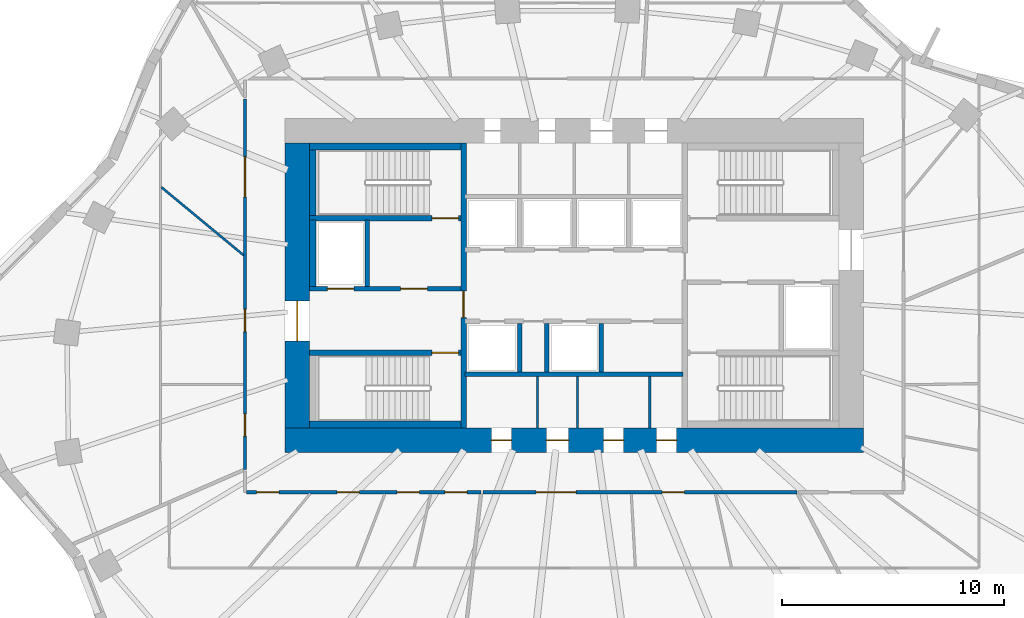
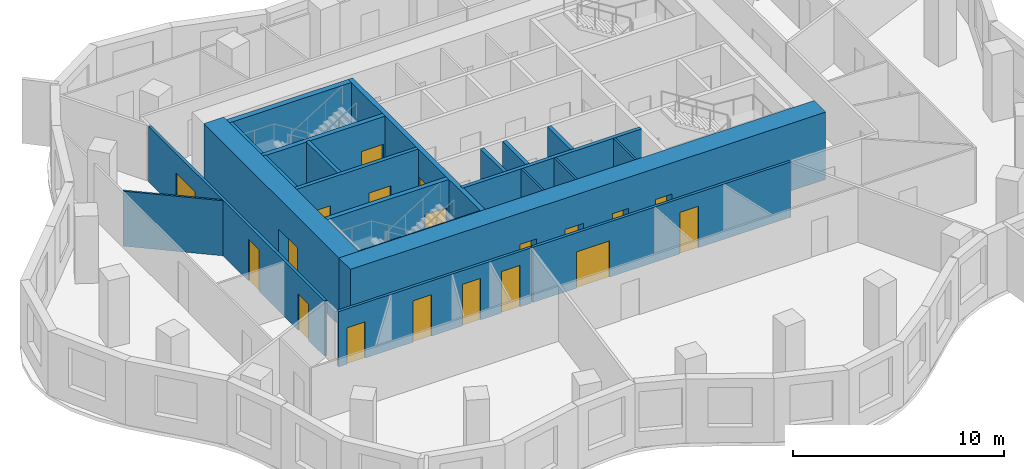
# One storey, part 4 of 9: 22 walls, 19 doors, 19 openings.
"""IFC4 building model written with IfcOpenShell, lengths in metres."""

import ifcopenshell
import ifcopenshell.guid

model = None  # the IFC model being written
_history = None  # IfcOwnerHistory: only IFC2X3 demands one
_inside = {}  # id of a spatial element -> (the spatial element, [elements in it])
_under = {}  # id of a project, library or spatial element -> (it, [spatial elements below it])
_declared = {}  # id of a project -> (the project, [libraries it declares])
_typed = {}  # id of a type object -> (the type object, [elements of that type])
_made_of = {}  # id of a material, layer set ... -> (it, [elements and type objects made of it])


def new_model(schema):
    """Start an empty IFC model of exactly this schema.

    Asked for "IFC4X3", IfcOpenShell would pick the latest addendum, in which some entities
    have other attributes; the version numbers below select the first issue.
    IFC2X3 requires an IfcOwnerHistory on every rooted entity: one is made here for all.
    """
    global model, _history
    if schema == "IFC4X3":
        model = ifcopenshell.file(schema_version=(4, 3, 0, 0))
    else:
        model = ifcopenshell.file(schema=schema)
    _inside.clear()
    _under.clear()
    _declared.clear()
    _typed.clear()
    _made_of.clear()
    _history = None
    if model.schema == "IFC2X3":
        org = make("IfcOrganization", Name="unknown")
        user = make(
            "IfcPersonAndOrganization",
            ThePerson=make("IfcPerson", FamilyName="unknown"),
            TheOrganization=org,
        )
        app = make(
            "IfcApplication",
            ApplicationDeveloper=org,
            Version="unknown",
            ApplicationFullName="unknown",
            ApplicationIdentifier="unknown",
        )
        _history = make(
            "IfcOwnerHistory",
            OwningUser=user,
            OwningApplication=app,
            ChangeAction="ADDED",
            CreationDate=0,
        )
    return model


def make(cls, **values):
    """One entity of the class cls with the attributes given. An attribute that is None is left unset."""
    return model.create_entity(
        cls, **{name: value for name, value in values.items() if value is not None}
    )


def rooted(cls, **values):
    """An entity with a GlobalId (a new one), such as an element, a storey or a relation."""
    return make(cls, GlobalId=ifcopenshell.guid.new(), OwnerHistory=_history, **values)


def si_unit(unit_type, name, prefix=None):
    """IfcSIUnit, for example si_unit("LENGTHUNIT", "METRE", prefix="MILLI")."""
    return make("IfcSIUnit", UnitType=unit_type, Prefix=prefix, Name=name)


def assignment(units):
    """IfcUnitAssignment: the units of a project."""
    return None if units is None else make("IfcUnitAssignment", Units=units)


def point(xyz):
    """IfcCartesianPoint."""
    return None if xyz is None else make("IfcCartesianPoint", Coordinates=xyz)


def direction(xyz):
    """IfcDirection."""
    return None if xyz is None else make("IfcDirection", DirectionRatios=xyz)


def frame(location, z_axis=None, x_axis=None):
    """IfcAxis2Placement3D, a coordinate frame: its origin and axes. An axis left out is left unset."""
    return make(
        "IfcAxis2Placement3D",
        Location=point(location),
        Axis=direction(z_axis),
        RefDirection=direction(x_axis),
    )


def frame_2d(location, x_axis=None):
    """IfcAxis2Placement2D, a coordinate frame in the plane: its origin and x axis."""
    return make(
        "IfcAxis2Placement2D", Location=point(location), RefDirection=direction(x_axis)
    )


def origin():
    """The frame at (0, 0, 0) with its axes left unset."""
    return frame((0.0, 0.0, 0.0))


def place(relative_to, where):
    """IfcLocalPlacement: puts the frame where relative to a parent placement (None: the world)."""
    return make(
        "IfcLocalPlacement", PlacementRelTo=relative_to, RelativePlacement=where
    )


def context(
    kind, dimensions, precision=None, world=None, true_north=None, identifier=None
):
    """IfcGeometricRepresentationContext, for example the 3D "Model" context."""
    return make(
        "IfcGeometricRepresentationContext",
        ContextIdentifier=identifier,
        ContextType=kind,
        CoordinateSpaceDimension=dimensions,
        Precision=precision,
        WorldCoordinateSystem=world,
        TrueNorth=true_north,
    )


def subcontext(parent, identifier, kind, view, scale=None):
    """IfcGeometricRepresentationSubContext, for example "Body" below "Model"."""
    return make(
        "IfcGeometricRepresentationSubContext",
        ContextIdentifier=identifier,
        ContextType=kind,
        ParentContext=parent,
        TargetScale=scale,
        TargetView=view,
    )


def project(units=None, contexts=None):
    """IfcProject with its units and contexts."""
    return rooted(
        "IfcProject",
        Name="project",
        RepresentationContexts=contexts,
        UnitsInContext=assignment(units),
    )


def spatial(cls, under=None, at=None, **own):
    """A site, building, storey or space (cls), placed at a placement, below another one or the project."""
    s = rooted(cls, ObjectPlacement=at, **own)
    if under is not None:
        _under.setdefault(under.id(), (under, []))[1].append(s)
    return s


def profile(cls, at=None, kind="AREA", **sizes):
    """A parametric profile (cls). Its sizes go by their IFC names, for example OverallWidth=200.0."""
    return make(cls, ProfileType=kind, Position=at, **sizes)


def rectangle(**sizes):
    """IfcRectangleProfileDef."""
    return profile("IfcRectangleProfileDef", **sizes)


def extrude(swept, where, along, depth):
    """IfcExtrudedAreaSolid: the profile swept, set in the frame where, extruded along a direction by depth."""
    return make(
        "IfcExtrudedAreaSolid",
        SweptArea=swept,
        Position=where,
        ExtrudedDirection=direction(along),
        Depth=depth,
    )


def shape(context_of_items, identifier, shape_type, items):
    """IfcShapeRepresentation: the items that make up one representation, for example the "Body"."""
    return make(
        "IfcShapeRepresentation",
        ContextOfItems=context_of_items,
        RepresentationIdentifier=identifier,
        RepresentationType=shape_type,
        Items=items,
    )


def material(Name=None, Category=None):
    """IfcMaterial."""
    return make("IfcMaterial", Name=Name, Category=Category)


def layer(
    of_material, thickness, ventilated=None, Name=None, Category=None, Priority=None
):
    """IfcMaterialLayer: one layer of a wall or slab, of a material (None: an air gap)."""
    return make(
        "IfcMaterialLayer",
        Material=of_material,
        LayerThickness=thickness,
        IsVentilated=ventilated,
        Name=Name,
        Category=Category,
        Priority=Priority,
    )


def layer_set(layers, Name=None):
    """IfcMaterialLayerSet."""
    return make("IfcMaterialLayerSet", MaterialLayers=layers, LayerSetName=Name)


def made_of(thing, what):
    """Note that an element or type object is made of a material, layer set ...; save() writes the relation."""
    if what is not None:
        _made_of.setdefault(what.id(), (what, []))[1].append(thing)
    return thing


def type_object(cls, material=None, **own):
    """A type object (cls), such as IfcWallType, which elements share."""
    return made_of(rooted(cls, **own), material)


def element(
    cls,
    number,
    at=None,
    inside=None,
    cuts=None,
    type_object=None,
    material=None,
    context=None,
    identifier="Body",
    shape_type=None,
    held_by="IfcProductDefinitionShape",
    body=None,
    shapes=None,
    **own,
):
    """One element of the class cls, such as IfcWall. Its Tag is "e" and its number.

    at: its placement. inside: the storey or other place that contains it. cuts: it is an
    opening in that element (IfcRelVoidsElement). A single representation is given by context,
    identifier, shape_type and body (its items); several are given by shapes. held_by: the class
    of the entity that holds the representations. save() writes the other relations.
    """
    e = rooted(cls, Tag="e%d" % number, ObjectPlacement=at, **own)
    if body is not None:
        shapes = [shape(context, identifier, shape_type, body)]
    if shapes is not None:
        e.Representation = make(held_by, Representations=shapes)
    if inside is not None:
        _inside.setdefault(inside.id(), (inside, []))[1].append(e)
    if cuts is not None:
        rooted(
            "IfcRelVoidsElement", RelatingBuildingElement=cuts, RelatedOpeningElement=e
        )
    if type_object is not None:
        _typed.setdefault(type_object.id(), (type_object, []))[1].append(e)
    return made_of(e, material)


def fill(opening, filler):
    """IfcRelFillsElement: the door or window that sits in an opening."""
    return rooted(
        "IfcRelFillsElement",
        RelatingOpeningElement=opening,
        RelatedBuildingElement=filler,
    )


def aggregate(whole, parts):
    """IfcRelAggregates: a whole, such as a stair, and the parts it consists of."""
    return rooted("IfcRelAggregates", RelatingObject=whole, RelatedObjects=parts)


def save(model, path):
    """Write the relations noted so far, then the file.

    IfcRelAggregates (storeys below a building ...), IfcRelContainedInSpatialStructure (elements
    in a storey), IfcRelDefinesByType, IfcRelAssociatesMaterial and IfcRelDeclares: one each for
    every whole, place, type object, material and project.
    """
    for whole, parts in _under.values():
        aggregate(whole, parts)
    for where, things in _inside.values():
        rooted(
            "IfcRelContainedInSpatialStructure",
            RelatedElements=things,
            RelatingStructure=where,
        )
    for kind, things in _typed.values():
        rooted("IfcRelDefinesByType", RelatedObjects=things, RelatingType=kind)
    for what, things in _made_of.values():
        rooted("IfcRelAssociatesMaterial", RelatedObjects=things, RelatingMaterial=what)
    for by, libraries in _declared.values():
        rooted("IfcRelDeclares", RelatingContext=by, RelatedDefinitions=libraries)
    model.write(path)


model = new_model("IFC4")

# Units and contexts
model_context = context("Model", 3, precision=1e-05, world=origin(), true_north=direction((0.0, 1.0)))
body_context = subcontext(model_context, "Body", "Model", "MODEL_VIEW")
ifc_project = project(units=[si_unit("LENGTHUNIT", "METRE"), si_unit("AREAUNIT", "SQUARE_METRE"), si_unit("VOLUMEUNIT", "CUBIC_METRE"), si_unit("PLANEANGLEUNIT", "RADIAN"), si_unit("MASSUNIT", "GRAM", prefix="KILO")], contexts=[model_context])

# Site, building, storey
site_placement = place(None, origin())
site = spatial("IfcSite", under=ifc_project, at=site_placement, CompositionType="ELEMENT")
building_placement = place(site_placement, origin())
building = spatial("IfcBuilding", under=site, at=building_placement, Name="Rubra Terraces Tower", CompositionType="ELEMENT")
storey_placement = place(building_placement, frame((0.0, 0.0, 138.300048828125)))
storey = spatial("IfcBuildingStorey", under=building, at=storey_placement, Name="L33", CompositionType="ELEMENT", Elevation=138.300048828125)

# Wall, openings, doors
ifc_material_1 = material(Name="Concrete C60", Category="concrete")
ifc_layer_1 = layer(ifc_material_1, 1.10009765625)
ifc_layer_set_1 = layer_set([ifc_layer_1], Name="Concrete C60")
wall_type_1 = type_object("IfcWallType", Name="CORE WALL 1100 C60", PredefinedType="SHEAR", material=ifc_layer_set_1)
wall_1_placement = place(storey_placement, frame((-13.0, -2.449951171875, 0.0), z_axis=(0.0, 0.0, 1.0), x_axis=(1.0, 0.0, 0.0)))
wall_1 = element("IfcWall", 1, at=wall_1_placement, inside=storey, type_object=wall_type_1, Name="CORE WALL S L33", PredefinedType="SHEAR", context=body_context, shape_type="SweptSolid", body=[
    extrude(rectangle(XDim=26.0, YDim=1.10009765625, at=frame_2d((13.0, 0.0))), origin(), (0.0, 0.0, 1.0), 3.89990234375),
])
opening_1_placement = place(wall_1_placement, frame((9.27490234375, 0.0, 0.0)))
opening_1 = element("IfcOpeningElement", 2, at=opening_1_placement, cuts=wall_1, Name="Opening L33.C21", PredefinedType="OPENING", context=body_context, shape_type="SweptSolid", body=[
    extrude(rectangle(XDim=0.89990234375, YDim=2.10009765625, at=frame_2d((0.449951171875, 1.050048828125))), frame((0.0, 0.56005859375, 0.0), z_axis=(0.0, -1.0, 0.0), x_axis=(1.0, 0.0, 0.0)), (0.0, 0.0, 1.0), 1.1201171875),
])
opening_2_placement = place(wall_1_placement, frame((11.75, 0.0, 0.0)))
opening_2 = element("IfcOpeningElement", 3, at=opening_2_placement, cuts=wall_1, Name="Opening L33.C22", PredefinedType="OPENING", context=body_context, shape_type="SweptSolid", body=[
    extrude(rectangle(XDim=1.0, YDim=2.10009765625, at=frame_2d((0.5, 1.050048828125))), frame((0.0, 0.56005859375, 0.0), z_axis=(0.0, -1.0, 0.0), x_axis=(1.0, 0.0, 0.0)), (0.0, 0.0, 1.0), 1.1201171875),
])
opening_3_placement = place(wall_1_placement, frame((14.324951171875, 0.0, 0.0)))
opening_3 = element("IfcOpeningElement", 4, at=opening_3_placement, cuts=wall_1, Name="Opening L33.C23", PredefinedType="OPENING", context=body_context, shape_type="SweptSolid", body=[
    extrude(rectangle(XDim=0.89990234375, YDim=2.10009765625, at=frame_2d((0.449951171875, 1.050048828125))), frame((0.0, 0.56005859375, 0.0), z_axis=(0.0, -1.0, 0.0), x_axis=(1.0, 0.0, 0.0)), (0.0, 0.0, 1.0), 1.1201171875),
])
opening_4_placement = place(wall_1_placement, frame((16.699951171875, 0.0, 0.0)))
opening_4 = element("IfcOpeningElement", 5, at=opening_4_placement, cuts=wall_1, Name="Opening L33.C24", PredefinedType="OPENING", context=body_context, shape_type="SweptSolid", body=[
    extrude(rectangle(XDim=0.89990234375, YDim=2.10009765625, at=frame_2d((0.449951171875, 1.050048828125))), frame((0.0, 0.56005859375, 0.0), z_axis=(0.0, -1.0, 0.0), x_axis=(1.0, 0.0, 0.0)), (0.0, 0.0, 1.0), 1.1201171875),
])
ifc_material_2 = material(Name="Painted steel", Category="steel")
door_type_1 = type_object("IfcDoorType", Name="Fire door 1000x2100 single", OperationType="NOTDEFINED", PredefinedType="DOOR", material=ifc_material_2)
door_1_placement = place(opening_2_placement, origin())
door_1 = element("IfcDoor", 6, at=door_1_placement, inside=storey, type_object=door_type_1, Name="Accessible WC door", OperationType="SINGLE_SWING_RIGHT", OverallHeight=2.10009765625, OverallWidth=1.0, PredefinedType="DOOR", context=body_context, shape_type="SweptSolid", body=[
    extrude(rectangle(XDim=1.0, YDim=2.10009765625, at=frame_2d((0.5, 1.050048828125))), frame((0.0, 0.02490234375, 0.0), z_axis=(0.0, -1.0, 0.0), x_axis=(1.0, 0.0, 0.0)), (0.0, 0.0, 1.0), 0.050048828125),
])
fill(opening_2, door_1)
door_type_2 = type_object("IfcDoorType", Name="Fire door 900x2100 single", OperationType="NOTDEFINED", PredefinedType="DOOR", material=ifc_material_2)
door_2_placement = place(opening_1_placement, origin())
door_2 = element("IfcDoor", 7, at=door_2_placement, inside=storey, type_object=door_type_2, Name="Gents WC door", OperationType="SINGLE_SWING_LEFT", OverallHeight=2.10009765625, OverallWidth=0.89990234375, PredefinedType="DOOR", context=body_context, shape_type="SweptSolid", body=[
    extrude(rectangle(XDim=0.89990234375, YDim=2.10009765625, at=frame_2d((0.449951171875, 1.050048828125))), frame((0.0, 0.02490234375, 0.0), z_axis=(0.0, -1.0, 0.0), x_axis=(1.0, 0.0, 0.0)), (0.0, 0.0, 1.0), 0.050048828125),
])
fill(opening_1, door_2)
door_3_placement = place(opening_3_placement, origin())
door_3 = element("IfcDoor", 8, at=door_3_placement, inside=storey, type_object=door_type_2, Name="Ladies WC door", OperationType="SINGLE_SWING_LEFT", OverallHeight=2.10009765625, OverallWidth=0.89990234375, PredefinedType="DOOR", context=body_context, shape_type="SweptSolid", body=[
    extrude(rectangle(XDim=0.89990234375, YDim=2.10009765625, at=frame_2d((0.449951171875, 1.050048828125))), frame((0.0, 0.02490234375, 0.0), z_axis=(0.0, -1.0, 0.0), x_axis=(1.0, 0.0, 0.0)), (0.0, 0.0, 1.0), 0.050048828125),
])
fill(opening_3, door_3)
door_4_placement = place(opening_4_placement, origin())
door_4 = element("IfcDoor", 9, at=door_4_placement, inside=storey, type_object=door_type_2, Name="Cleaner's store door", OperationType="SINGLE_SWING_RIGHT", OverallHeight=2.10009765625, OverallWidth=0.89990234375, PredefinedType="DOOR", context=body_context, shape_type="SweptSolid", body=[
    extrude(rectangle(XDim=0.89990234375, YDim=2.10009765625, at=frame_2d((0.449951171875, 1.050048828125))), frame((0.0, 0.02490234375, 0.0), z_axis=(0.0, -1.0, 0.0), x_axis=(1.0, 0.0, 0.0)), (0.0, 0.0, 1.0), 0.050048828125),
])
fill(opening_4, door_4)

# Wall, opening, door
wall_2_placement = place(storey_placement, frame((-12.449951171875, -1.89990234375, 0.0), z_axis=(0.0, 0.0, 1.0), x_axis=(0.0, 1.0, 0.0)))
wall_2 = element("IfcWall", 10, at=wall_2_placement, inside=storey, type_object=wall_type_1, Name="CORE WALL W L33", PredefinedType="SHEAR", context=body_context, shape_type="SweptSolid", body=[
    extrude(rectangle(XDim=12.7998046875, YDim=1.10009765625, at=frame_2d((6.39990234375, 0.0))), origin(), (0.0, 0.0, 1.0), 3.89990234375),
])
opening_5_placement = place(wall_2_placement, frame((3.89990234375, 0.0, 0.0)))
opening_5 = element("IfcOpeningElement", 11, at=opening_5_placement, cuts=wall_2, Name="Opening L33.C01", PredefinedType="OPENING", context=body_context, shape_type="SweptSolid", body=[
    extrude(rectangle(XDim=1.800048828125, YDim=2.10009765625, at=frame_2d((0.89990234375, 1.050048828125))), frame((0.0, 0.56005859375, 0.0), z_axis=(0.0, -1.0, 0.0), x_axis=(1.0, 0.0, 0.0)), (0.0, 0.0, 1.0), 1.1201171875),
])
door_type_3 = type_object("IfcDoorType", Name="Fire door 1800x2100 double", OperationType="NOTDEFINED", PredefinedType="DOOR", material=ifc_material_2)
door_5_placement = place(opening_5_placement, origin())
door_5 = element("IfcDoor", 12, at=door_5_placement, inside=storey, type_object=door_type_3, Name="Core entrance door FF1", OperationType="DOUBLE_DOOR_SINGLE_SWING", OverallHeight=2.10009765625, OverallWidth=1.800048828125, PredefinedType="DOOR", context=body_context, shape_type="SweptSolid", body=[
    extrude(rectangle(XDim=1.800048828125, YDim=2.10009765625, at=frame_2d((0.89990234375, 1.050048828125))), frame((0.0, 0.02490234375, 0.0), z_axis=(0.0, -1.0, 0.0), x_axis=(1.0, 0.0, 0.0)), (0.0, 0.0, 1.0), 0.050048828125),
])
fill(opening_5, door_5)

# Wall, openings, doors
ifc_material_3 = material(Name="Plasterboard on steel stud, mineral wool infill", Category="steel")
ifc_layer_2 = layer(ifc_material_3, 0.14990234375)
ifc_layer_set_2 = layer_set([ifc_layer_2], Name="Plasterboard on steel stud, mineral wool infill")
wall_type_2 = type_object("IfcWallType", Name="CORRIDOR PARTITION 150", PredefinedType="PARTITIONING", material=ifc_layer_set_2)
wall_3_placement = place(storey_placement, frame((-14.800048828125, 12.881591796875, 0.0), z_axis=(0.0, 0.0, 1.0), x_axis=(0.0, -1.0, 0.0)))
wall_3 = element("IfcWall", 13, at=wall_3_placement, inside=storey, type_object=wall_type_2, Name="PARTITION", PredefinedType="PARTITIONING", context=body_context, shape_type="SweptSolid", body=[
    extrude(rectangle(XDim=16.65234375, YDim=0.14990234375, at=frame_2d((8.326171875, 0.0))), origin(), (0.0, 0.0, 1.0), 3.197998046875),
])
opening_6_placement = place(wall_3_placement, frame((2.59912109375, 0.0, 0.0)))
opening_6 = element("IfcOpeningElement", 14, at=opening_6_placement, cuts=wall_3, Name="Opening 33-107", PredefinedType="OPENING", context=body_context, shape_type="SweptSolid", body=[
    extrude(rectangle(XDim=1.800048828125, YDim=2.10009765625, at=frame_2d((0.89990234375, 1.050048828125))), frame((0.0, 0.0849609375, 0.0), z_axis=(0.0, -1.0, 0.0), x_axis=(1.0, 0.0, 0.0)), (0.0, 0.0, 1.0), 0.169921875),
])
opening_7_placement = place(wall_3_placement, frame((9.4560546875, 0.0, 0.0)))
opening_7 = element("IfcOpeningElement", 15, at=opening_7_placement, cuts=wall_3, Name="Opening 33-108", PredefinedType="OPENING", context=body_context, shape_type="SweptSolid", body=[
    extrude(rectangle(XDim=1.0, YDim=2.39990234375, at=frame_2d((0.5, 1.199951171875))), frame((0.0, 0.0849609375, 0.0), z_axis=(0.0, -1.0, 0.0), x_axis=(1.0, 0.0, 0.0)), (0.0, 0.0, 1.0), 0.169921875),
])
opening_8_placement = place(wall_3_placement, frame((14.14990234375, 0.0, 0.0)))
opening_8 = element("IfcOpeningElement", 16, at=opening_8_placement, cuts=wall_3, Name="Opening 33-129", PredefinedType="OPENING", context=body_context, shape_type="SweptSolid", body=[
    extrude(rectangle(XDim=1.0, YDim=2.10009765625, at=frame_2d((0.5, 1.050048828125))), frame((0.0, 0.0849609375, 0.0), z_axis=(0.0, -1.0, 0.0), x_axis=(1.0, 0.0, 0.0)), (0.0, 0.0, 1.0), 0.169921875),
])
ifc_material_4 = material(Name="Glazed aluminium meeting door leaf", Category="aluminium")
door_type_4 = type_object("IfcDoorType", Name="MEETING ROOM GLAZED DOOR 1000 X 2400", OperationType="SINGLE_SWING_LEFT", PredefinedType="DOOR", material=ifc_material_4)
door_6_placement = place(opening_7_placement, origin())
door_6 = element("IfcDoor", 17, at=door_6_placement, inside=storey, type_object=door_type_4, Name="DOOR 33-108", OperationType="SINGLE_SWING_RIGHT", OverallHeight=2.39990234375, OverallWidth=1.0, PredefinedType="DOOR", context=body_context, shape_type="SweptSolid", body=[
    extrude(rectangle(XDim=1.0, YDim=2.39990234375, at=frame_2d((0.5, 1.199951171875))), frame((0.0, 0.02490234375, 0.0), z_axis=(0.0, -1.0, 0.0), x_axis=(1.0, 0.0, 0.0)), (0.0, 0.0, 1.0), 0.050048828125),
])
fill(opening_7, door_6)
ifc_material_5 = material(Name="Painted timber door leaf", Category="wood")
door_type_5 = type_object("IfcDoorType", Name="ROOM DOOR 1000 X 2100", OperationType="SINGLE_SWING_LEFT", PredefinedType="DOOR", material=ifc_material_5)
door_7_placement = place(opening_8_placement, origin())
door_7 = element("IfcDoor", 18, at=door_7_placement, inside=storey, type_object=door_type_5, Name="DOOR 33-129", OperationType="SINGLE_SWING_RIGHT", OverallHeight=2.10009765625, OverallWidth=1.0, PredefinedType="DOOR", context=body_context, shape_type="SweptSolid", body=[
    extrude(rectangle(XDim=1.0, YDim=2.10009765625, at=frame_2d((0.5, 1.050048828125))), frame((0.0, 0.02490234375, 0.0), z_axis=(0.0, -1.0, 0.0), x_axis=(1.0, 0.0, 0.0)), (0.0, 0.0, 1.0), 0.050048828125),
])
fill(opening_8, door_7)
ifc_material_6 = material(Name="Painted timber door leaf, double", Category="wood")
door_type_6 = type_object("IfcDoorType", Name="ROOM DOUBLE DOOR 1800 X 2100", OperationType="DOUBLE_DOOR_SINGLE_SWING", PredefinedType="DOOR", material=ifc_material_6)
door_8_placement = place(opening_6_placement, origin())
door_8 = element("IfcDoor", 19, at=door_8_placement, inside=storey, type_object=door_type_6, Name="DOOR 33-107", OperationType="DOUBLE_DOOR_SINGLE_SWING", OverallHeight=2.10009765625, OverallWidth=1.800048828125, PredefinedType="DOOR", context=body_context, shape_type="SweptSolid", body=[
    extrude(rectangle(XDim=1.800048828125, YDim=2.10009765625, at=frame_2d((0.89990234375, 1.050048828125))), frame((0.0, 0.02490234375, 0.0), z_axis=(0.0, -1.0, 0.0), x_axis=(1.0, 0.0, 0.0)), (0.0, 0.0, 1.0), 0.050048828125),
])
fill(opening_6, door_8)

wall_4_placement = place(storey_placement, frame((-14.72509765625, -4.800048828125, 0.0), z_axis=(0.0, 0.0, 1.0), x_axis=(1.0, 0.0, 0.0)))
wall_4 = element("IfcWall", 20, at=wall_4_placement, inside=storey, type_object=wall_type_2, Name="PARTITION", PredefinedType="PARTITIONING", context=body_context, shape_type="SweptSolid", body=[
    extrude(rectangle(XDim=10.544189453125, YDim=0.14990234375, at=frame_2d((5.27197265625, 0.0))), origin(), (0.0, 0.0, 1.0), 3.197998046875),
])
opening_9_placement = place(wall_4_placement, frame((0.449951171875, 0.0, 0.0)))
opening_9 = element("IfcOpeningElement", 21, at=opening_9_placement, cuts=wall_4, Name="Opening 33-110", PredefinedType="OPENING", context=body_context, shape_type="SweptSolid", body=[
    extrude(rectangle(XDim=1.0, YDim=2.10009765625, at=frame_2d((0.5, 1.050048828125))), frame((0.0, 0.0849609375, 0.0), z_axis=(0.0, -1.0, 0.0), x_axis=(1.0, 0.0, 0.0)), (0.0, 0.0, 1.0), 0.169921875),
])
opening_10_placement = place(wall_4_placement, frame((4.072998046875, 0.0, 0.0)))
opening_10 = element("IfcOpeningElement", 22, at=opening_10_placement, cuts=wall_4, Name="Opening 33-112", PredefinedType="OPENING", context=body_context, shape_type="SweptSolid", body=[
    extrude(rectangle(XDim=1.0, YDim=2.39990234375, at=frame_2d((0.5, 1.199951171875))), frame((0.0, 0.0849609375, 0.0), z_axis=(0.0, -1.0, 0.0), x_axis=(1.0, 0.0, 0.0)), (0.0, 0.0, 1.0), 0.169921875),
])
opening_11_placement = place(wall_4_placement, frame((6.763916015625, 0.0, 0.0)))
opening_11 = element("IfcOpeningElement", 23, at=opening_11_placement, cuts=wall_4, Name="Opening 33-113", PredefinedType="OPENING", context=body_context, shape_type="SweptSolid", body=[
    extrude(rectangle(XDim=1.0, YDim=2.39990234375, at=frame_2d((0.5, 1.199951171875))), frame((0.0, 0.0849609375, 0.0), z_axis=(0.0, -1.0, 0.0), x_axis=(1.0, 0.0, 0.0)), (0.0, 0.0, 1.0), 0.169921875),
])
opening_12_placement = place(wall_4_placement, frame((8.916015625, 0.0, 0.0)))
opening_12 = element("IfcOpeningElement", 24, at=opening_12_placement, cuts=wall_4, Name="Opening 33-114", PredefinedType="OPENING", context=body_context, shape_type="SweptSolid", body=[
    extrude(rectangle(XDim=1.0, YDim=2.39990234375, at=frame_2d((0.5, 1.199951171875))), frame((0.0, 0.0849609375, 0.0), z_axis=(0.0, -1.0, 0.0), x_axis=(1.0, 0.0, 0.0)), (0.0, 0.0, 1.0), 0.169921875),
])
door_9_placement = place(opening_10_placement, origin())
door_9 = element("IfcDoor", 25, at=door_9_placement, inside=storey, type_object=door_type_4, Name="DOOR 33-112", OperationType="SINGLE_SWING_RIGHT", OverallHeight=2.39990234375, OverallWidth=1.0, PredefinedType="DOOR", context=body_context, shape_type="SweptSolid", body=[
    extrude(rectangle(XDim=1.0, YDim=2.39990234375, at=frame_2d((0.5, 1.199951171875))), frame((0.0, 0.02490234375, 0.0), z_axis=(0.0, -1.0, 0.0), x_axis=(1.0, 0.0, 0.0)), (0.0, 0.0, 1.0), 0.050048828125),
])
fill(opening_10, door_9)
door_10_placement = place(opening_11_placement, origin())
door_10 = element("IfcDoor", 26, at=door_10_placement, inside=storey, type_object=door_type_4, Name="DOOR 33-113", OperationType="SINGLE_SWING_RIGHT", OverallHeight=2.39990234375, OverallWidth=1.0, PredefinedType="DOOR", context=body_context, shape_type="SweptSolid", body=[
    extrude(rectangle(XDim=1.0, YDim=2.39990234375, at=frame_2d((0.5, 1.199951171875))), frame((0.0, 0.02490234375, 0.0), z_axis=(0.0, -1.0, 0.0), x_axis=(1.0, 0.0, 0.0)), (0.0, 0.0, 1.0), 0.050048828125),
])
fill(opening_11, door_10)
door_11_placement = place(opening_12_placement, origin())
door_11 = element("IfcDoor", 27, at=door_11_placement, inside=storey, type_object=door_type_4, Name="DOOR 33-114", OperationType="SINGLE_SWING_RIGHT", OverallHeight=2.39990234375, OverallWidth=1.0, PredefinedType="DOOR", context=body_context, shape_type="SweptSolid", body=[
    extrude(rectangle(XDim=1.0, YDim=2.39990234375, at=frame_2d((0.5, 1.199951171875))), frame((0.0, 0.02490234375, 0.0), z_axis=(0.0, -1.0, 0.0), x_axis=(1.0, 0.0, 0.0)), (0.0, 0.0, 1.0), 0.050048828125),
])
fill(opening_12, door_11)
door_12_placement = place(opening_9_placement, origin())
door_12 = element("IfcDoor", 28, at=door_12_placement, inside=storey, type_object=door_type_5, Name="DOOR 33-110", OperationType="SINGLE_SWING_RIGHT", OverallHeight=2.10009765625, OverallWidth=1.0, PredefinedType="DOOR", context=body_context, shape_type="SweptSolid", body=[
    extrude(rectangle(XDim=1.0, YDim=2.10009765625, at=frame_2d((0.5, 1.050048828125))), frame((0.0, 0.02490234375, 0.0), z_axis=(0.0, -1.0, 0.0), x_axis=(1.0, 0.0, 0.0)), (0.0, 0.0, 1.0), 0.050048828125),
])
fill(opening_9, door_12)

wall_5_placement = place(storey_placement, frame((-4.105712890625, -4.800048828125, 0.0), z_axis=(0.0, 0.0, 1.0), x_axis=(1.0, 0.0, 0.0)))
wall_5 = element("IfcWall", 29, at=wall_5_placement, inside=storey, type_object=wall_type_2, Name="PARTITION", PredefinedType="PARTITIONING", context=body_context, shape_type="SweptSolid", body=[
    extrude(rectangle(XDim=14.116943359375, YDim=0.14990234375, at=frame_2d((7.05859375, 0.0))), origin(), (0.0, 0.0, 1.0), 3.197998046875),
])
opening_13_placement = place(wall_5_placement, frame((2.39599609375, 0.0, 0.0)))
opening_13 = element("IfcOpeningElement", 30, at=opening_13_placement, cuts=wall_5, Name="Opening 33-115", PredefinedType="OPENING", context=body_context, shape_type="SweptSolid", body=[
    extrude(rectangle(XDim=1.800048828125, YDim=2.10009765625, at=frame_2d((0.89990234375, 1.050048828125))), frame((0.0, 0.0849609375, 0.0), z_axis=(0.0, -1.0, 0.0), x_axis=(1.0, 0.0, 0.0)), (0.0, 0.0, 1.0), 0.169921875),
])
opening_14_placement = place(wall_5_placement, frame((8.052978515625, 0.0, 0.0)))
opening_14 = element("IfcOpeningElement", 31, at=opening_14_placement, cuts=wall_5, Name="Opening 33-117", PredefinedType="OPENING", context=body_context, shape_type="SweptSolid", body=[
    extrude(rectangle(XDim=1.0, YDim=2.39990234375, at=frame_2d((0.5, 1.199951171875))), frame((0.0, 0.0849609375, 0.0), z_axis=(0.0, -1.0, 0.0), x_axis=(1.0, 0.0, 0.0)), (0.0, 0.0, 1.0), 0.169921875),
])
door_13_placement = place(opening_14_placement, origin())
door_13 = element("IfcDoor", 32, at=door_13_placement, inside=storey, type_object=door_type_4, Name="DOOR 33-117", OperationType="SINGLE_SWING_RIGHT", OverallHeight=2.39990234375, OverallWidth=1.0, PredefinedType="DOOR", context=body_context, shape_type="SweptSolid", body=[
    extrude(rectangle(XDim=1.0, YDim=2.39990234375, at=frame_2d((0.5, 1.199951171875))), frame((0.0, 0.02490234375, 0.0), z_axis=(0.0, -1.0, 0.0), x_axis=(1.0, 0.0, 0.0)), (0.0, 0.0, 1.0), 0.050048828125),
])
fill(opening_14, door_13)
door_14_placement = place(opening_13_placement, origin())
door_14 = element("IfcDoor", 33, at=door_14_placement, inside=storey, type_object=door_type_6, Name="DOOR 33-115", OperationType="DOUBLE_DOOR_SINGLE_SWING", OverallHeight=2.10009765625, OverallWidth=1.800048828125, PredefinedType="DOOR", context=body_context, shape_type="SweptSolid", body=[
    extrude(rectangle(XDim=1.800048828125, YDim=2.10009765625, at=frame_2d((0.89990234375, 1.050048828125))), frame((0.0, 0.02490234375, 0.0), z_axis=(0.0, -1.0, 0.0), x_axis=(1.0, 0.0, 0.0)), (0.0, 0.0, 1.0), 0.050048828125),
])
fill(opening_13, door_14)

# Walls
ifc_material_7 = material(Name="Concrete C40", Category="concrete")
ifc_layer_3 = layer(ifc_material_7, 0.300048828125)
ifc_layer_set_3 = layer_set([ifc_layer_3], Name="Concrete C40")
wall_type_3 = type_object("IfcWallType", Name="Core lining wall 300 concrete", PredefinedType="SOLIDWALL", material=ifc_layer_set_3)
wall_6_placement = place(storey_placement, frame((-11.89990234375, -1.75, 0.0), z_axis=(0.0, 0.0, 1.0), x_axis=(1.0, 0.0, 0.0)))
element("IfcWall", 34, at=wall_6_placement, inside=storey, type_object=wall_type_3, Name="CORE LINING WALL L33", PredefinedType="SOLIDWALL", context=body_context, shape_type="SweptSolid", body=[
    extrude(rectangle(XDim=6.7998046875, YDim=0.300048828125, at=frame_2d((3.39990234375, 0.0))), origin(), (0.0, 0.0, 1.0), 3.699951171875),
])
wall_7_placement = place(storey_placement, frame((-11.75, 4.449951171875, 0.0), z_axis=(0.0, 0.0, 1.0), x_axis=(0.0, 1.0, 0.0)))
element("IfcWall", 35, at=wall_7_placement, inside=storey, type_object=wall_type_3, Name="CORE LINING WALL L33", PredefinedType="SOLIDWALL", context=body_context, shape_type="SweptSolid", body=[
    extrude(rectangle(XDim=3.0, YDim=0.300048828125, at=frame_2d((1.5, 0.0))), origin(), (0.0, 0.0, 1.0), 3.699951171875),
])
wall_8_placement = place(storey_placement, frame((-11.75, 7.64990234375, 0.0), z_axis=(0.0, 0.0, 1.0), x_axis=(0.0, 1.0, 0.0)))
element("IfcWall", 36, at=wall_8_placement, inside=storey, type_object=wall_type_3, Name="CORE LINING WALL L33", PredefinedType="SOLIDWALL", context=body_context, shape_type="SweptSolid", body=[
    extrude(rectangle(XDim=2.9501953125, YDim=0.300048828125, at=frame_2d((1.47509765625, 0.0))), origin(), (0.0, 0.0, 1.0), 3.699951171875),
])
wall_9_placement = place(storey_placement, frame((-11.89990234375, 10.75, 0.0), z_axis=(0.0, 0.0, 1.0), x_axis=(1.0, 0.0, 0.0)))
element("IfcWall", 37, at=wall_9_placement, inside=storey, type_object=wall_type_3, Name="CORE LINING WALL L33", PredefinedType="SOLIDWALL", context=body_context, shape_type="SweptSolid", body=[
    extrude(rectangle(XDim=6.7998046875, YDim=0.300048828125, at=frame_2d((3.39990234375, 0.0))), origin(), (0.0, 0.0, 1.0), 3.699951171875),
])

# Wall, openings, doors
ifc_material_8 = material(Name="Concrete C30", Category="concrete")
ifc_layer_4 = layer(ifc_material_8, 0.199951171875)
ifc_layer_set_4 = layer_set([ifc_layer_4], Name="Concrete C30")
wall_type_4 = type_object("IfcWallType", Name="Core wall 200 concrete", PredefinedType="SOLIDWALL", material=ifc_layer_set_4)
wall_10_placement = place(storey_placement, frame((-11.89990234375, 4.35009765625, 0.0), z_axis=(0.0, 0.0, 1.0), x_axis=(1.0, 0.0, 0.0)))
wall_10 = element("IfcWall", 38, at=wall_10_placement, inside=storey, type_object=wall_type_4, Name="STAIR WALL L33", PredefinedType="SOLIDWALL", context=body_context, shape_type="SweptSolid", body=[
    extrude(rectangle(XDim=6.7998046875, YDim=0.199951171875, at=frame_2d((3.39990234375, 0.0))), origin(), (0.0, 0.0, 1.0), 3.699951171875),
])
opening_15_placement = place(wall_10_placement, frame((4.10009765625, 0.0, 0.0)))
opening_15 = element("IfcOpeningElement", 39, at=opening_15_placement, cuts=wall_10, Name="Opening L33.C05", PredefinedType="OPENING", context=body_context, shape_type="SweptSolid", body=[
    extrude(rectangle(XDim=1.199951171875, YDim=2.10009765625, at=frame_2d((0.60009765625, 1.050048828125))), frame((0.0, 0.10986328125, 0.0), z_axis=(0.0, -1.0, 0.0), x_axis=(1.0, 0.0, 0.0)), (0.0, 0.0, 1.0), 0.219970703125),
])
opening_16_placement = place(wall_10_placement, frame((0.800048828125, 0.0, 0.0)))
opening_16 = element("IfcOpeningElement", 40, at=opening_16_placement, cuts=wall_10, Name="Opening L33.C11", PredefinedType="OPENING", context=body_context, shape_type="SweptSolid", body=[
    extrude(rectangle(XDim=1.199951171875, YDim=2.10009765625, at=frame_2d((0.60009765625, 1.050048828125))), frame((0.0, 0.10986328125, 0.0), z_axis=(0.0, -1.0, 0.0), x_axis=(1.0, 0.0, 0.0)), (0.0, 0.0, 1.0), 0.219970703125),
])
door_type_7 = type_object("IfcDoorType", Name="Fire door 1200x2100 single", OperationType="NOTDEFINED", PredefinedType="DOOR", material=ifc_material_2)
door_15_placement = place(opening_15_placement, origin())
door_15 = element("IfcDoor", 41, at=door_15_placement, inside=storey, type_object=door_type_7, Name="Stair vestibule door S2", OperationType="SINGLE_SWING_LEFT", OverallHeight=2.10009765625, OverallWidth=1.199951171875, PredefinedType="DOOR", context=body_context, shape_type="SweptSolid", body=[
    extrude(rectangle(XDim=1.199951171875, YDim=2.10009765625, at=frame_2d((0.60009765625, 1.050048828125))), frame((0.0, 0.02490234375, 0.0), z_axis=(0.0, -1.0, 0.0), x_axis=(1.0, 0.0, 0.0)), (0.0, 0.0, 1.0), 0.050048828125),
])
fill(opening_15, door_15)
ifc_material_9 = material(Name="Stainless steel", Category="steel")
door_type_8 = type_object("IfcDoorType", Name="Lift landing door 1200x2100", OperationType="NOTDEFINED", PredefinedType="DOOR", material=ifc_material_9)
door_16_placement = place(opening_16_placement, origin())
door_16 = element("IfcDoor", 42, at=door_16_placement, inside=storey, type_object=door_type_8, Name="Landing door FF1", OperationType="SLIDING_TO_RIGHT", OverallHeight=2.10009765625, OverallWidth=1.199951171875, PredefinedType="DOOR", context=body_context, shape_type="SweptSolid", body=[
    extrude(rectangle(XDim=1.199951171875, YDim=2.10009765625, at=frame_2d((0.60009765625, 1.050048828125))), frame((0.0, 0.02490234375, 0.0), z_axis=(0.0, -1.0, 0.0), x_axis=(1.0, 0.0, 0.0)), (0.0, 0.0, 1.0), 0.050048828125),
])
fill(opening_16, door_16)

# Walls
wall_11_placement = place(storey_placement, frame((-9.300048828125, 4.449951171875, 0.0), z_axis=(0.0, 0.0, 1.0), x_axis=(0.0, 1.0, 0.0)))
element("IfcWall", 43, at=wall_11_placement, inside=storey, type_object=wall_type_4, Name="STAIR WALL L33", PredefinedType="SOLIDWALL", context=body_context, shape_type="SweptSolid", body=[
    extrude(rectangle(XDim=3.0, YDim=0.199951171875, at=frame_2d((1.5, 0.0))), origin(), (0.0, 0.0, 1.0), 3.699951171875),
])
wall_12_placement = place(storey_placement, frame((-4.89990234375, 0.5, 0.0), z_axis=(0.0, 0.0, 1.0), x_axis=(1.0, 0.0, 0.0)))
element("IfcWall", 44, at=wall_12_placement, inside=storey, type_object=wall_type_4, Name="LIFT SHAFT WALL L33", PredefinedType="SOLIDWALL", context=body_context, shape_type="SweptSolid", body=[
    extrude(rectangle(XDim=9.7998046875, YDim=0.199951171875, at=frame_2d((4.89990234375, 0.0))), origin(), (0.0, 0.0, 1.0), 3.699951171875),
])
for number, where, z_axis, x_axis, name in (
    (45, (-2.449951171875, 0.60009765625, 0.0), (0.0, 0.0, 1.0), (0.0, 1.0, 0.0), "LIFT SHAFT WALL L33"),
    (46, (-1.22509765625, 0.60009765625, 0.0), (0.0, 0.0, 1.0), (0.0, 1.0, 0.0), "LIFT SHAFT WALL L33"),
    (47, (1.22509765625, 0.60009765625, 0.0), (0.0, 0.0, 1.0), (0.0, 1.0, 0.0), "LIFT SHAFT WALL L33"),
):
    element("IfcWall", number, at=place(storey_placement, frame(where, z_axis=z_axis, x_axis=x_axis)), inside=storey, type_object=wall_type_4, Name=name, PredefinedType="SOLIDWALL", context=body_context, shape_type="SweptSolid", body=[
        extrude(rectangle(XDim=2.199951171875, YDim=0.199951171875, at=frame_2d((1.10009765625, 0.0))), origin(), (0.0, 0.0, 1.0), 3.699951171875),
    ])
ifc_material_10 = material(Name="Plasterboard on steel stud", Category="steel")
ifc_layer_5 = layer(ifc_material_10, 0.10009765625)
ifc_layer_set_5 = layer_set([ifc_layer_5], Name="Plasterboard on steel stud")
wall_type_5 = type_object("IfcWallType", Name="ROOM PARTITION 100", PredefinedType="PARTITIONING", material=ifc_layer_set_5)
wall_13_placement = place(storey_placement, frame((-14.85791015625, 5.856689453125, 0.0), z_axis=(0.0, 0.0, 1.0), x_axis=(-0.770605931108, 0.637311932213, 0.0)))
element("IfcWall", 48, at=wall_13_placement, inside=storey, type_object=wall_type_5, Name="PARTITION", PredefinedType="PARTITIONING", context=body_context, shape_type="SweptSolid", body=[
    extrude(rectangle(XDim=4.80615234375, YDim=0.10009765625, at=frame_2d((2.403076171875, 0.0))), origin(), (0.0, 0.0, 1.0), 3.183837890625),
])
ifc_material_11 = material(Name="Blockwork", Category="masonry")
ifc_layer_6 = layer(ifc_material_11, 0.10009765625)
ifc_layer_set_6 = layer_set([ifc_layer_6], Name="Blockwork")
wall_type_6 = type_object("IfcWallType", Name="Service partition 100 blockwork", PredefinedType="PARTITIONING", material=ifc_layer_set_6)
for number, where, z_axis, x_axis, name in (
    (49, (-1.64990234375, -1.89990234375, 0.0), (0.0, 0.0, 1.0), (0.0, 1.0, 0.0), "SERVICE ROOM PARTITION L33"),
    (50, (0.14990234375, -1.89990234375, 0.0), (0.0, 0.0, 1.0), (0.0, 1.0, 0.0), "SERVICE ROOM PARTITION L33"),
    (51, (3.39990234375, -1.89990234375, 0.0), (0.0, 0.0, 1.0), (0.0, 1.0, 0.0), "SERVICE ROOM PARTITION L33"),
):
    element("IfcWall", number, at=place(storey_placement, frame(where, z_axis=z_axis, x_axis=x_axis)), inside=storey, type_object=wall_type_6, Name=name, PredefinedType="PARTITIONING", context=body_context, shape_type="SweptSolid", body=[
        extrude(rectangle(XDim=2.2998046875, YDim=0.10009765625, at=frame_2d((1.14990234375, 0.0))), origin(), (0.0, 0.0, 1.0), 3.699951171875),
    ])

# Wall, opening, door
ifc_layer_7 = layer(ifc_material_7, 0.25)
ifc_layer_set_7 = layer_set([ifc_layer_7], Name="Concrete C40")
wall_type_7 = type_object("IfcWallType", Name="Stair enclosure wall 250 concrete", PredefinedType="SOLIDWALL", material=ifc_layer_set_7)
wall_14_placement = place(storey_placement, frame((-11.89990234375, 1.47509765625, 0.0), z_axis=(0.0, 0.0, 1.0), x_axis=(1.0, 0.0, 0.0)))
wall_14 = element("IfcWall", 52, at=wall_14_placement, inside=storey, type_object=wall_type_7, Name="STAIR WALL L33", PredefinedType="SOLIDWALL", context=body_context, shape_type="SweptSolid", body=[
    extrude(rectangle(XDim=6.7998046875, YDim=0.25, at=frame_2d((3.39990234375, 0.0))), origin(), (0.0, 0.0, 1.0), 3.699951171875),
])
opening_17_placement = place(wall_14_placement, frame((5.5, 0.0, 0.0)))
opening_17 = element("IfcOpeningElement", 53, at=opening_17_placement, cuts=wall_14, Name="Opening L33.C07", PredefinedType="OPENING", context=body_context, shape_type="SweptSolid", body=[
    extrude(rectangle(XDim=1.199951171875, YDim=2.10009765625, at=frame_2d((0.60009765625, 1.050048828125))), frame((0.0, 0.135009765625, 0.0), z_axis=(0.0, -1.0, 0.0), x_axis=(1.0, 0.0, 0.0)), (0.0, 0.0, 1.0), 0.27001953125),
])
door_17_placement = place(opening_17_placement, origin())
door_17 = element("IfcDoor", 54, at=door_17_placement, inside=storey, type_object=door_type_7, Name="Stair door S1", OperationType="SINGLE_SWING_LEFT", OverallHeight=2.10009765625, OverallWidth=1.199951171875, PredefinedType="DOOR", context=body_context, shape_type="SweptSolid", body=[
    extrude(rectangle(XDim=1.199951171875, YDim=2.10009765625, at=frame_2d((0.60009765625, 1.050048828125))), frame((0.0, 0.02490234375, 0.0), z_axis=(0.0, -1.0, 0.0), x_axis=(1.0, 0.0, 0.0)), (0.0, 0.0, 1.0), 0.050048828125),
])
fill(opening_17, door_17)

wall_15_placement = place(storey_placement, frame((-11.89990234375, 7.52490234375, 0.0), z_axis=(0.0, 0.0, 1.0), x_axis=(1.0, 0.0, 0.0)))
wall_15 = element("IfcWall", 55, at=wall_15_placement, inside=storey, type_object=wall_type_7, Name="STAIR WALL L33", PredefinedType="SOLIDWALL", context=body_context, shape_type="SweptSolid", body=[
    extrude(rectangle(XDim=6.7998046875, YDim=0.25, at=frame_2d((3.39990234375, 0.0))), origin(), (0.0, 0.0, 1.0), 3.699951171875),
])
opening_18_placement = place(wall_15_placement, frame((5.5, 0.0, 0.0)))
opening_18 = element("IfcOpeningElement", 56, at=opening_18_placement, cuts=wall_15, Name="Opening L33.C09", PredefinedType="OPENING", context=body_context, shape_type="SweptSolid", body=[
    extrude(rectangle(XDim=1.199951171875, YDim=2.10009765625, at=frame_2d((0.60009765625, 1.050048828125))), frame((0.0, 0.135009765625, 0.0), z_axis=(0.0, -1.0, 0.0), x_axis=(1.0, 0.0, 0.0)), (0.0, 0.0, 1.0), 0.27001953125),
])
door_18_placement = place(opening_18_placement, origin())
door_18 = element("IfcDoor", 57, at=door_18_placement, inside=storey, type_object=door_type_7, Name="Stair door S2", OperationType="SINGLE_SWING_LEFT", OverallHeight=2.10009765625, OverallWidth=1.199951171875, PredefinedType="DOOR", context=body_context, shape_type="SweptSolid", body=[
    extrude(rectangle(XDim=1.199951171875, YDim=2.10009765625, at=frame_2d((0.60009765625, 1.050048828125))), frame((0.0, 0.02490234375, 0.0), z_axis=(0.0, -1.0, 0.0), x_axis=(1.0, 0.0, 0.0)), (0.0, 0.0, 1.0), 0.050048828125),
])
fill(opening_18, door_18)

wall_16_placement = place(storey_placement, frame((-4.97509765625, -1.89990234375, 0.0), z_axis=(0.0, 0.0, 1.0), x_axis=(0.0, 1.0, 0.0)))
wall_16 = element("IfcWall", 58, at=wall_16_placement, inside=storey, type_object=wall_type_7, Name="CORE LOBBY WALL L33", PredefinedType="SOLIDWALL", context=body_context, shape_type="SweptSolid", body=[
    extrude(rectangle(XDim=12.7998046875, YDim=0.25, at=frame_2d((6.39990234375, 0.0))), origin(), (0.0, 0.0, 1.0), 3.699951171875),
])
opening_19_placement = place(wall_16_placement, frame((4.949951171875, 0.0, 0.0)))
opening_19 = element("IfcOpeningElement", 59, at=opening_19_placement, cuts=wall_16, Name="Opening L33.C03", PredefinedType="OPENING", context=body_context, shape_type="SweptSolid", body=[
    extrude(rectangle(XDim=1.199951171875, YDim=2.10009765625, at=frame_2d((0.60009765625, 1.050048828125))), frame((0.0, 0.135009765625, 0.0), z_axis=(0.0, -1.0, 0.0), x_axis=(1.0, 0.0, 0.0)), (0.0, 0.0, 1.0), 0.27001953125),
])
door_19_placement = place(opening_19_placement, origin())
door_19 = element("IfcDoor", 60, at=door_19_placement, inside=storey, type_object=door_type_7, Name="Firefighting lobby door FF1", OperationType="SINGLE_SWING_LEFT", OverallHeight=2.10009765625, OverallWidth=1.199951171875, PredefinedType="DOOR", context=body_context, shape_type="SweptSolid", body=[
    extrude(rectangle(XDim=1.199951171875, YDim=2.10009765625, at=frame_2d((0.60009765625, 1.050048828125))), frame((0.0, 0.02490234375, 0.0), z_axis=(0.0, -1.0, 0.0), x_axis=(1.0, 0.0, 0.0)), (0.0, 0.0, 1.0), 0.050048828125),
])
fill(opening_19, door_19)

save(model, "model.ifc")
